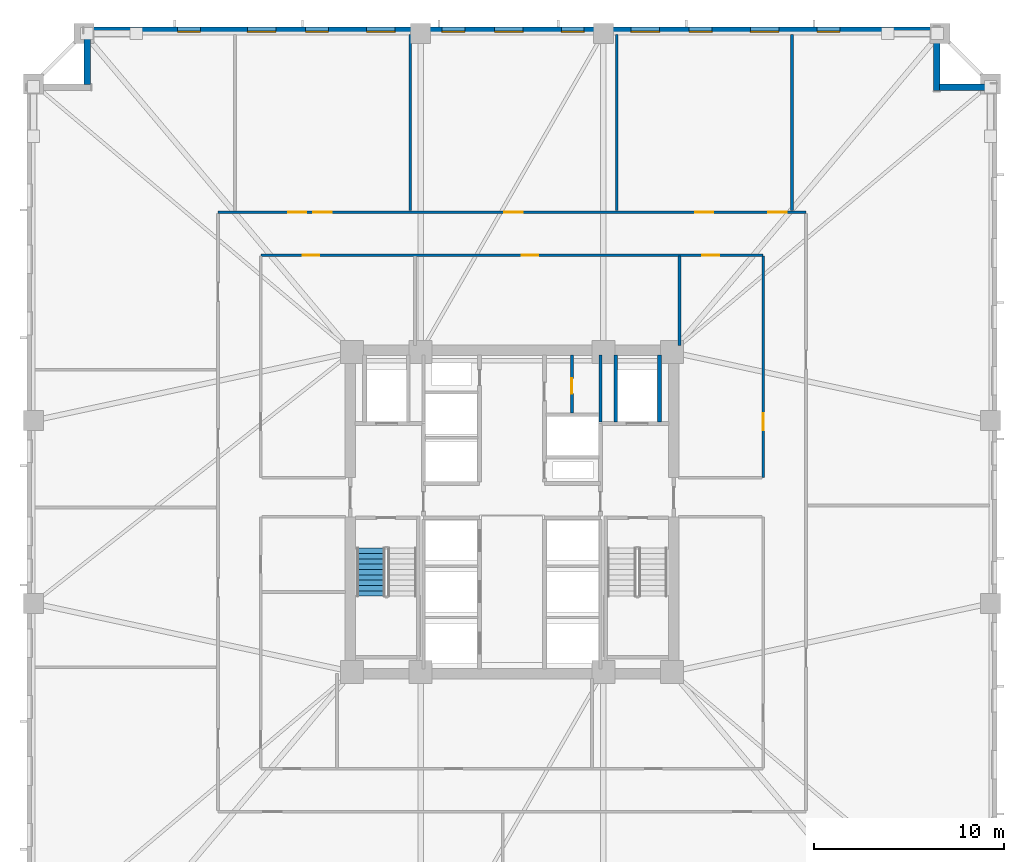
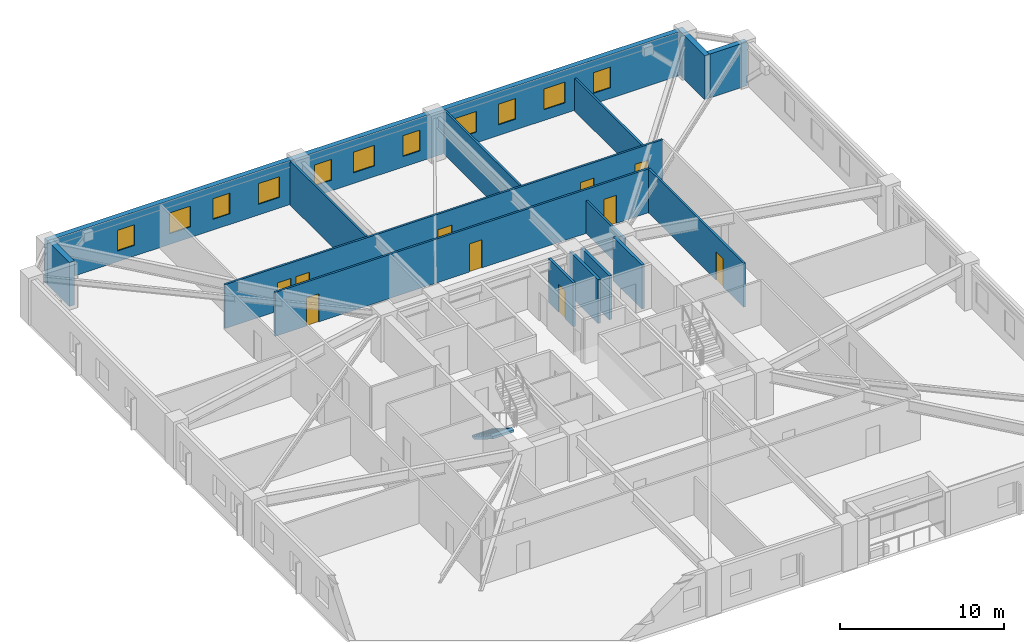
# One storey, part 5 of 11: 15 walls, 11 windows, 10 doors, 1 stair flight, 21 openings, 1 element without a shape of its own.
"""IFC4 building model written with IfcOpenShell, lengths in metres."""

from ifc_helpers import new_model, si_unit, direction, frame, frame_2d, origin, place, context, subcontext, project, spatial, polyline, rectangle, outline, extrude, material, layer, layer_set, type_object, element, fill, aggregate, save


model = new_model("IFC4")

# Units and contexts
model_context = context("Model", 3, precision=1e-05, world=origin(), true_north=direction((0.0, 1.0)))
body_context = subcontext(model_context, "Body", "Model", "MODEL_VIEW")
ifc_project = project(units=[si_unit("LENGTHUNIT", "METRE"), si_unit("AREAUNIT", "SQUARE_METRE"), si_unit("VOLUMEUNIT", "CUBIC_METRE"), si_unit("PLANEANGLEUNIT", "RADIAN"), si_unit("MASSUNIT", "GRAM", prefix="KILO")], contexts=[model_context])

# Site, building, storey
site_placement = place(None, origin())
site = spatial("IfcSite", under=ifc_project, at=site_placement, CompositionType="ELEMENT")
building_placement = place(site_placement, origin())
building = spatial("IfcBuilding", under=site, at=building_placement, Name="Cairnveth Concourse Tower", CompositionType="ELEMENT")
storey_placement = place(building_placement, frame((0.0, 0.0, 48.0)))
storey = spatial("IfcBuildingStorey", under=building, at=storey_placement, Name="L12", CompositionType="ELEMENT", Elevation=48.0)

# Wall, opening, door
ifc_material_1 = material(Name="Gypsum Plasterboard Partition", Category="gypsum")
ifc_layer_1 = layer(ifc_material_1, 0.159912109375)
ifc_layer_set_1 = layer_set([ifc_layer_1], Name="Gypsum Plasterboard Partition")
wall_type_1 = type_object("IfcWallType", Name="ACOUSTIC PARTY WALL 180", PredefinedType="PARTITIONING", material=ifc_layer_set_1)
wall_1_placement = place(storey_placement, frame((55.14990234375, 44.195068359375, 0.0), z_axis=(0.0, 0.0, 1.0), x_axis=(0.0, 1.0, 0.0)))
wall_1 = element("IfcWall", 1, at=wall_1_placement, inside=storey, type_object=wall_type_1, Name="Interior Wall IW-L12-037", PredefinedType="PARTITIONING", context=body_context, shape_type="SweptSolid", body=[
    extrude(rectangle(XDim=3.044921875, YDim=0.159912109375, at=frame_2d((1.5224609375, 0.0))), origin(), (0.0, 0.0, 1.0), 3.280029296875),
])
opening_1_placement = place(wall_1_placement, frame((1.02490234375, 0.0, 0.0)))
opening_1 = element("IfcOpeningElement", 2, at=opening_1_placement, cuts=wall_1, Name="Opening ID23", PredefinedType="OPENING", context=body_context, shape_type="SweptSolid", body=[
    extrude(rectangle(XDim=0.800048828125, YDim=2.10009765625, at=frame_2d((0.39990234375, 1.050048828125))), frame((0.0, 0.08984375, 0.0), z_axis=(0.0, -1.0, 0.0), x_axis=(1.0, 0.0, 0.0)), (0.0, 0.0, 1.0), 0.179931640625),
])
ifc_material_2 = material(Name="Steel Grade 350", Category="steel")
door_type_1 = type_object("IfcDoorType", Name="CORE SERVICE DOOR 800X2100", OperationType="NOTDEFINED", PredefinedType="DOOR", material=ifc_material_2)
door_1_placement = place(opening_1_placement, origin())
door_1 = element("IfcDoor", 3, at=door_1_placement, inside=storey, type_object=door_type_1, Name="NE Linen Closet Door L12", OperationType="SINGLE_SWING_LEFT", OverallHeight=2.10009765625, OverallWidth=0.800048828125, PredefinedType="DOOR", context=body_context, shape_type="SweptSolid", body=[
    extrude(rectangle(XDim=0.800048828125, YDim=2.10009765625, at=frame_2d((0.39990234375, 1.050048828125))), frame((0.0, 0.02490234375, 0.0), z_axis=(0.0, -1.0, 0.0), x_axis=(1.0, 0.0, 0.0)), (0.0, 0.0, 1.0), 0.050048828125),
])
fill(opening_1, door_1)

# Walls
ifc_material_3 = material(Name="Concrete N50 (50 MPa)", Category="concrete")
ifc_layer_2 = layer(ifc_material_3, 0.179931640625)
ifc_layer_set_2 = layer_set([ifc_layer_2], Name="Concrete N50 (50 MPa)")
wall_type_2 = type_object("IfcWallType", Name="FIRE SHAFT WALL 180", PredefinedType="SOLIDWALL", material=ifc_layer_set_2)
wall_2_placement = place(storey_placement, frame((56.64990234375, 43.735107421875, 0.0), z_axis=(0.0, 0.0, 1.0), x_axis=(0.0, 1.0, 0.0)))
element("IfcWall", 4, at=wall_2_placement, inside=storey, type_object=wall_type_2, Name="Interior Wall IW-L12-034", PredefinedType="SOLIDWALL", context=body_context, shape_type="SweptSolid", body=[
    extrude(rectangle(XDim=3.5048828125, YDim=0.179931640625, at=frame_2d((1.75244140625, 0.0))), origin(), (0.0, 0.0, 1.0), 3.280029296875),
])
ifc_layer_3 = layer(ifc_material_3, 0.199951171875)
ifc_layer_set_3 = layer_set([ifc_layer_3], Name="Concrete N50 (50 MPa)")
wall_type_3 = type_object("IfcWallType", Name="FIRE SHAFT WALL 200", PredefinedType="SOLIDWALL", material=ifc_layer_set_3)
for number, where, z_axis, x_axis, name in (
    (5, (57.449951171875, 43.735107421875, 0.0), (0.0, 0.0, 1.0), (0.0, 1.0, 0.0), "Interior Wall IW-L12-023"),
    (6, (59.75, 43.735107421875, 0.0), (0.0, 0.0, 1.0), (0.0, 1.0, 0.0), "Interior Wall IW-L12-024"),
):
    element("IfcWall", number, at=place(storey_placement, frame(where, z_axis=z_axis, x_axis=x_axis)), inside=storey, type_object=wall_type_3, Name=name, PredefinedType="SOLIDWALL", context=body_context, shape_type="SweptSolid", body=[
        extrude(rectangle(XDim=3.5048828125, YDim=0.199951171875, at=frame_2d((1.75244140625, 0.0))), origin(), (0.0, 0.0, 1.0), 3.280029296875),
    ])

# Wall, openings, doors
ifc_layer_4 = layer(ifc_material_1, 0.139892578125)
ifc_layer_set_4 = layer_set([ifc_layer_4], Name="Gypsum Plasterboard Partition")
wall_type_4 = type_object("IfcWallType", Name="GYPSUM STUD PARTITION 140", PredefinedType="PARTITIONING", material=ifc_layer_set_4)
wall_3_placement = place(storey_placement, frame((36.550048828125, 54.75, 0.0), z_axis=(0.0, 0.0, 1.0), x_axis=(1.0, 0.0, 0.0)))
wall_3 = element("IfcWall", 7, at=wall_3_placement, inside=storey, type_object=wall_type_4, Name="Interior Wall IW-L12-039", PredefinedType="PARTITIONING", context=body_context, shape_type="SweptSolid", body=[
    extrude(rectangle(XDim=30.89990234375, YDim=0.139892578125, at=frame_2d((15.449951171875, 0.0))), origin(), (0.0, 0.0, 1.0), 3.280029296875),
])
opening_2_placement = place(wall_3_placement, frame((3.690185546875, 0.0, 0.0)))
opening_2 = element("IfcOpeningElement", 8, at=opening_2_placement, cuts=wall_3, Name="Opening ID11", PredefinedType="OPENING", context=body_context, shape_type="SweptSolid", body=[
    extrude(rectangle(XDim=0.9599609375, YDim=2.1201171875, at=frame_2d((0.47998046875, 1.06005859375))), frame((0.0, 0.079833984375, 0.0), z_axis=(0.0, -1.0, 0.0), x_axis=(1.0, 0.0, 0.0)), (0.0, 0.0, 1.0), 0.159912109375),
])
opening_3_placement = place(wall_3_placement, frame((5.012939453125, 0.0, 0.0)))
opening_3 = element("IfcOpeningElement", 9, at=opening_3_placement, cuts=wall_3, Name="Opening ID11", PredefinedType="OPENING", context=body_context, shape_type="SweptSolid", body=[
    extrude(rectangle(XDim=0.9599609375, YDim=2.1201171875, at=frame_2d((0.47998046875, 1.06005859375))), frame((0.0, 0.079833984375, 0.0), z_axis=(0.0, -1.0, 0.0), x_axis=(1.0, 0.0, 0.0)), (0.0, 0.0, 1.0), 0.159912109375),
])
opening_4_placement = place(wall_3_placement, frame((15.044921875, 0.0, 0.0)))
opening_4 = element("IfcOpeningElement", 10, at=opening_4_placement, cuts=wall_3, Name="Opening ID11", PredefinedType="OPENING", context=body_context, shape_type="SweptSolid", body=[
    extrude(rectangle(XDim=0.9599609375, YDim=2.1201171875, at=frame_2d((0.47998046875, 1.06005859375))), frame((0.0, 0.079833984375, 0.0), z_axis=(0.0, -1.0, 0.0), x_axis=(1.0, 0.0, 0.0)), (0.0, 0.0, 1.0), 0.159912109375),
])
opening_5_placement = place(wall_3_placement, frame((25.076904296875, 0.0, 0.0)))
opening_5 = element("IfcOpeningElement", 11, at=opening_5_placement, cuts=wall_3, Name="Opening ID11", PredefinedType="OPENING", context=body_context, shape_type="SweptSolid", body=[
    extrude(rectangle(XDim=0.9599609375, YDim=2.1201171875, at=frame_2d((0.47998046875, 1.06005859375))), frame((0.0, 0.079833984375, 0.0), z_axis=(0.0, -1.0, 0.0), x_axis=(1.0, 0.0, 0.0)), (0.0, 0.0, 1.0), 0.159912109375),
])
opening_6_placement = place(wall_3_placement, frame((28.919921875, 0.0, 0.0)))
opening_6 = element("IfcOpeningElement", 12, at=opening_6_placement, cuts=wall_3, Name="Opening ID11", PredefinedType="OPENING", context=body_context, shape_type="SweptSolid", body=[
    extrude(rectangle(XDim=0.9599609375, YDim=2.1201171875, at=frame_2d((0.47998046875, 1.06005859375))), frame((0.0, 0.079833984375, 0.0), z_axis=(0.0, -1.0, 0.0), x_axis=(1.0, 0.0, 0.0)), (0.0, 0.0, 1.0), 0.159912109375),
])
ifc_material_4 = material(Name="Solid Core Hardwood Timber Leaf", Category="wood")
door_type_2 = type_object("IfcDoorType", Name="INTERIOR SINGLE DOOR 960X2150", OperationType="NOTDEFINED", PredefinedType="DOOR", material=ifc_material_4)
door_2_placement = place(opening_2_placement, origin())
door_2 = element("IfcDoor", 13, at=door_2_placement, inside=storey, type_object=door_type_2, Name="Office Door L12-N1", OperationType="SINGLE_SWING_LEFT", OverallHeight=2.1201171875, OverallWidth=0.9599609375, PredefinedType="DOOR", context=body_context, shape_type="SweptSolid", body=[
    extrude(rectangle(XDim=0.9599609375, YDim=2.1201171875, at=frame_2d((0.47998046875, 1.06005859375))), frame((0.0, 0.02490234375, 0.0), z_axis=(0.0, -1.0, 0.0), x_axis=(1.0, 0.0, 0.0)), (0.0, 0.0, 1.0), 0.050048828125),
])
fill(opening_2, door_2)
door_3_placement = place(opening_3_placement, origin())
door_3 = element("IfcDoor", 14, at=door_3_placement, inside=storey, type_object=door_type_2, Name="Office Door L12-N2", OperationType="SINGLE_SWING_RIGHT", OverallHeight=2.1201171875, OverallWidth=0.9599609375, PredefinedType="DOOR", context=body_context, shape_type="SweptSolid", body=[
    extrude(rectangle(XDim=0.9599609375, YDim=2.1201171875, at=frame_2d((0.47998046875, 1.06005859375))), frame((0.0, 0.02490234375, 0.0), z_axis=(0.0, -1.0, 0.0), x_axis=(1.0, 0.0, 0.0)), (0.0, 0.0, 1.0), 0.050048828125),
])
fill(opening_3, door_3)
door_4_placement = place(opening_4_placement, origin())
door_4 = element("IfcDoor", 15, at=door_4_placement, inside=storey, type_object=door_type_2, Name="Office Door L12-N3", OperationType="SINGLE_SWING_LEFT", OverallHeight=2.1201171875, OverallWidth=0.9599609375, PredefinedType="DOOR", context=body_context, shape_type="SweptSolid", body=[
    extrude(rectangle(XDim=0.9599609375, YDim=2.1201171875, at=frame_2d((0.47998046875, 1.06005859375))), frame((0.0, 0.02490234375, 0.0), z_axis=(0.0, -1.0, 0.0), x_axis=(1.0, 0.0, 0.0)), (0.0, 0.0, 1.0), 0.050048828125),
])
fill(opening_4, door_4)
door_5_placement = place(opening_5_placement, origin())
door_5 = element("IfcDoor", 16, at=door_5_placement, inside=storey, type_object=door_type_2, Name="Office Door L12-N4", OperationType="SINGLE_SWING_RIGHT", OverallHeight=2.1201171875, OverallWidth=0.9599609375, PredefinedType="DOOR", context=body_context, shape_type="SweptSolid", body=[
    extrude(rectangle(XDim=0.9599609375, YDim=2.1201171875, at=frame_2d((0.47998046875, 1.06005859375))), frame((0.0, 0.02490234375, 0.0), z_axis=(0.0, -1.0, 0.0), x_axis=(1.0, 0.0, 0.0)), (0.0, 0.0, 1.0), 0.050048828125),
])
fill(opening_5, door_5)
door_6_placement = place(opening_6_placement, origin())
door_6 = element("IfcDoor", 17, at=door_6_placement, inside=storey, type_object=door_type_2, Name="Office Door L12-N5", OperationType="SINGLE_SWING_LEFT", OverallHeight=2.1201171875, OverallWidth=0.9599609375, PredefinedType="DOOR", context=body_context, shape_type="SweptSolid", body=[
    extrude(rectangle(XDim=0.9599609375, YDim=2.1201171875, at=frame_2d((0.47998046875, 1.06005859375))), frame((0.0, 0.02490234375, 0.0), z_axis=(0.0, -1.0, 0.0), x_axis=(1.0, 0.0, 0.0)), (0.0, 0.0, 1.0), 0.050048828125),
])
fill(opening_6, door_6)

wall_4_placement = place(storey_placement, frame((38.800048828125, 52.5, 0.0), z_axis=(0.0, 0.0, 1.0), x_axis=(1.0, 0.0, 0.0)))
wall_4 = element("IfcWall", 18, at=wall_4_placement, inside=storey, type_object=wall_type_4, Name="Interior Wall IW-L12-043", PredefinedType="PARTITIONING", context=body_context, shape_type="SweptSolid", body=[
    extrude(rectangle(XDim=26.39990234375, YDim=0.139892578125, at=frame_2d((13.199951171875, 0.0))), origin(), (0.0, 0.0, 1.0), 3.280029296875),
])
opening_7_placement = place(wall_4_placement, frame((2.199951171875, 0.0, 0.0)))
opening_7 = element("IfcOpeningElement", 19, at=opening_7_placement, cuts=wall_4, Name="Opening ID18", PredefinedType="OPENING", context=body_context, shape_type="SweptSolid", body=[
    extrude(rectangle(XDim=0.8798828125, YDim=2.10009765625, at=frame_2d((0.43994140625, 1.050048828125))), frame((0.0, 0.079833984375, 0.0), z_axis=(0.0, -1.0, 0.0), x_axis=(1.0, 0.0, 0.0)), (0.0, 0.0, 1.0), 0.159912109375),
])
opening_8_placement = place(wall_4_placement, frame((13.699951171875, 0.0, 0.0)))
opening_8 = element("IfcOpeningElement", 20, at=opening_8_placement, cuts=wall_4, Name="Opening ID18", PredefinedType="OPENING", context=body_context, shape_type="SweptSolid", body=[
    extrude(rectangle(XDim=0.8798828125, YDim=2.10009765625, at=frame_2d((0.43994140625, 1.050048828125))), frame((0.0, 0.079833984375, 0.0), z_axis=(0.0, -1.0, 0.0), x_axis=(1.0, 0.0, 0.0)), (0.0, 0.0, 1.0), 0.159912109375),
])
opening_9_placement = place(wall_4_placement, frame((23.199951171875, 0.0, 0.0)))
opening_9 = element("IfcOpeningElement", 21, at=opening_9_placement, cuts=wall_4, Name="Opening ID18", PredefinedType="OPENING", context=body_context, shape_type="SweptSolid", body=[
    extrude(rectangle(XDim=0.8798828125, YDim=2.10009765625, at=frame_2d((0.43994140625, 1.050048828125))), frame((0.0, 0.079833984375, 0.0), z_axis=(0.0, -1.0, 0.0), x_axis=(1.0, 0.0, 0.0)), (0.0, 0.0, 1.0), 0.159912109375),
])
door_type_3 = type_object("IfcDoorType", Name="INTERIOR SINGLE DOOR 880X2100", OperationType="NOTDEFINED", PredefinedType="DOOR", material=ifc_material_4)
door_7_placement = place(opening_7_placement, origin())
door_7 = element("IfcDoor", 22, at=door_7_placement, inside=storey, type_object=door_type_3, Name="Interior Door DR-L12-017", OperationType="SINGLE_SWING_LEFT", OverallHeight=2.10009765625, OverallWidth=0.8798828125, PredefinedType="DOOR", context=body_context, shape_type="SweptSolid", body=[
    extrude(rectangle(XDim=0.8798828125, YDim=2.10009765625, at=frame_2d((0.43994140625, 1.050048828125))), frame((0.0, 0.02490234375, 0.0), z_axis=(0.0, -1.0, 0.0), x_axis=(1.0, 0.0, 0.0)), (0.0, 0.0, 1.0), 0.050048828125),
])
fill(opening_7, door_7)
door_8_placement = place(opening_8_placement, origin())
door_8 = element("IfcDoor", 23, at=door_8_placement, inside=storey, type_object=door_type_3, Name="Interior Door DR-L12-018", OperationType="SINGLE_SWING_RIGHT", OverallHeight=2.10009765625, OverallWidth=0.8798828125, PredefinedType="DOOR", context=body_context, shape_type="SweptSolid", body=[
    extrude(rectangle(XDim=0.8798828125, YDim=2.10009765625, at=frame_2d((0.43994140625, 1.050048828125))), frame((0.0, 0.02490234375, 0.0), z_axis=(0.0, -1.0, 0.0), x_axis=(1.0, 0.0, 0.0)), (0.0, 0.0, 1.0), 0.050048828125),
])
fill(opening_8, door_8)
door_9_placement = place(opening_9_placement, origin())
door_9 = element("IfcDoor", 24, at=door_9_placement, inside=storey, type_object=door_type_3, Name="Interior Door DR-L12-019", OperationType="SINGLE_SWING_LEFT", OverallHeight=2.10009765625, OverallWidth=0.8798828125, PredefinedType="DOOR", context=body_context, shape_type="SweptSolid", body=[
    extrude(rectangle(XDim=0.8798828125, YDim=2.10009765625, at=frame_2d((0.43994140625, 1.050048828125))), frame((0.0, 0.02490234375, 0.0), z_axis=(0.0, -1.0, 0.0), x_axis=(1.0, 0.0, 0.0)), (0.0, 0.0, 1.0), 0.050048828125),
])
fill(opening_9, door_9)

# Wall, opening, door
wall_5_placement = place(storey_placement, frame((65.199951171875, 40.800048828125, 0.0), z_axis=(0.0, 0.0, 1.0), x_axis=(0.0, 1.0, 0.0)))
wall_5 = element("IfcWall", 25, at=wall_5_placement, inside=storey, type_object=wall_type_4, Name="Interior Wall IW-L12-049", PredefinedType="PARTITIONING", context=body_context, shape_type="SweptSolid", body=[
    extrude(rectangle(XDim=11.64501953125, YDim=0.139892578125, at=frame_2d((5.822509765625, 0.0))), origin(), (0.0, 0.0, 1.0), 3.280029296875),
])
opening_10_placement = place(wall_5_placement, frame((2.5, 0.0, 0.0)))
opening_10 = element("IfcOpeningElement", 26, at=opening_10_placement, cuts=wall_5, Name="Opening ID18", PredefinedType="OPENING", context=body_context, shape_type="SweptSolid", body=[
    extrude(rectangle(XDim=0.8798828125, YDim=2.10009765625, at=frame_2d((0.43994140625, 1.050048828125))), frame((0.0, 0.079833984375, 0.0), z_axis=(0.0, -1.0, 0.0), x_axis=(1.0, 0.0, 0.0)), (0.0, 0.0, 1.0), 0.159912109375),
])
door_10_placement = place(opening_10_placement, origin())
door_10 = element("IfcDoor", 27, at=door_10_placement, inside=storey, type_object=door_type_3, Name="Interior Door DR-L12-024", OperationType="SINGLE_SWING_RIGHT", OverallHeight=2.10009765625, OverallWidth=0.8798828125, PredefinedType="DOOR", context=body_context, shape_type="SweptSolid", body=[
    extrude(rectangle(XDim=0.8798828125, YDim=2.10009765625, at=frame_2d((0.43994140625, 1.050048828125))), frame((0.0, 0.02490234375, 0.0), z_axis=(0.0, -1.0, 0.0), x_axis=(1.0, 0.0, 0.0)), (0.0, 0.0, 1.0), 0.050048828125),
])
fill(opening_10, door_10)

# Walls
wall_6_placement = place(storey_placement, frame((60.800048828125, 47.760009765625, 0.0), z_axis=(0.0, 0.0, 1.0), x_axis=(0.0, 1.0, 0.0)))
element("IfcWall", 28, at=wall_6_placement, inside=storey, type_object=wall_type_4, Name="Interior Wall IW-L12-055", PredefinedType="PARTITIONING", context=body_context, shape_type="SweptSolid", body=[
    extrude(rectangle(XDim=4.68505859375, YDim=0.139892578125, at=frame_2d((2.342529296875, 0.0))), origin(), (0.0, 0.0, 1.0), 2.43896484375),
])
for number, where, z_axis, x_axis, name in (
    (29, (46.646484375, 54.85009765625, 0.0), (0.0, 0.0, 1.0), (0.0, 1.0, 0.0), "Interior Wall IW-L12-059"),
    (30, (57.50341796875, 54.85009765625, 0.0), (0.0, 0.0, 1.0), (0.0, 1.0, 0.0), "Interior Wall IW-L12-060"),
):
    element("IfcWall", number, at=place(storey_placement, frame(where, z_axis=z_axis, x_axis=x_axis)), inside=storey, type_object=wall_type_4, Name=name, PredefinedType="PARTITIONING", context=body_context, shape_type="SweptSolid", body=[
        extrude(rectangle(XDim=9.22998046875, YDim=0.139892578125, at=frame_2d((4.614990234375, 0.0))), origin(), (0.0, 0.0, 1.0), 3.280029296875),
    ])
wall_7_placement = place(storey_placement, frame((66.71044921875, 54.85009765625, 0.0), z_axis=(0.0, 0.0, 1.0), x_axis=(0.0, 1.0, 0.0)))
element("IfcWall", 31, at=wall_7_placement, inside=storey, type_object=wall_type_4, Name="Interior Wall IW-L12-061", PredefinedType="PARTITIONING", context=body_context, shape_type="SweptSolid", body=[
    extrude(rectangle(XDim=9.22998046875, YDim=0.139892578125, at=frame_2d((4.614990234375, 0.0))), origin(), (0.0, 0.0, 1.0), 2.43896484375),
])
ifc_material_5 = material(Name="Hawthorn Red-Ochre Fired Clay Brick Masonry", Category="masonry")
ifc_layer_5 = layer(ifc_material_5, 0.360107421875)
ifc_layer_set_5 = layer_set([ifc_layer_5], Name="Hawthorn Red-Ochre Fired Clay Brick Masonry")
wall_type_5 = type_object("IfcWallType", Name="ZONE 1 BRICK PIER SPANDREL WALL 360", PredefinedType="SOLIDWALL", material=ifc_layer_set_5)
wall_8_placement = place(storey_placement, frame((29.679931640625, 61.47802734375, 0.0), z_axis=(0.0, 0.0, 1.0), x_axis=(0.0, 1.0, 0.0)))
element("IfcWall", 32, at=wall_8_placement, inside=storey, type_object=wall_type_5, Name="Exterior Wall EW-L12-S05", PredefinedType="SOLIDWALL", context=body_context, shape_type="SweptSolid", body=[
    extrude(rectangle(XDim=2.68408203125, YDim=0.360107421875, at=frame_2d((1.342041015625, 0.0))), origin(), (0.0, 0.0, 1.0), 3.280029296875),
])

# Wall, openings, windows
wall_9_placement = place(storey_placement, frame((29.5, 64.320068359375, 0.0), z_axis=(0.0, 0.0, 1.0), x_axis=(1.0, 0.0, 0.0)))
wall_9 = element("IfcWall", 33, at=wall_9_placement, inside=storey, type_object=wall_type_5, Name="Exterior Wall EW-L12-S06", PredefinedType="SOLIDWALL", context=body_context, shape_type="SweptSolid", body=[
    extrude(rectangle(XDim=44.662109375, YDim=0.360107421875, at=frame_2d((22.3310546875, 0.0))), origin(), (0.0, 0.0, 1.0), 3.280029296875),
])
opening_11_placement = place(wall_9_placement, frame((4.93017578125, 0.0, 0.800048828125)))
opening_11 = element("IfcOpeningElement", 34, at=opening_11_placement, cuts=wall_9, Name="Opening W01", PredefinedType="OPENING", context=body_context, shape_type="SweptSolid", body=[
    extrude(rectangle(XDim=1.199951171875, YDim=1.5439453125, at=frame_2d((0.60009765625, 0.77197265625))), frame((0.0, 0.18994140625, 0.0), z_axis=(0.0, -1.0, 0.0), x_axis=(1.0, 0.0, 0.0)), (0.0, 0.0, 1.0), 0.380126953125),
])
opening_12_placement = place(wall_9_placement, frame((8.59033203125, 0.0, 0.800048828125)))
opening_12 = element("IfcOpeningElement", 35, at=opening_12_placement, cuts=wall_9, Name="Opening W03", PredefinedType="OPENING", context=body_context, shape_type="SweptSolid", body=[
    extrude(rectangle(XDim=1.5, YDim=1.5439453125, at=frame_2d((0.75, 0.77197265625))), frame((0.0, 0.18994140625, 0.0), z_axis=(0.0, -1.0, 0.0), x_axis=(1.0, 0.0, 0.0)), (0.0, 0.0, 1.0), 0.380126953125),
])
opening_13_placement = place(wall_9_placement, frame((11.650390625, 0.0, 0.800048828125)))
opening_13 = element("IfcOpeningElement", 36, at=opening_13_placement, cuts=wall_9, Name="Opening W01", PredefinedType="OPENING", context=body_context, shape_type="SweptSolid", body=[
    extrude(rectangle(XDim=1.199951171875, YDim=1.5439453125, at=frame_2d((0.60009765625, 0.77197265625))), frame((0.0, 0.18994140625, 0.0), z_axis=(0.0, -1.0, 0.0), x_axis=(1.0, 0.0, 0.0)), (0.0, 0.0, 1.0), 0.380126953125),
])
opening_14_placement = place(wall_9_placement, frame((14.860595703125, 0.0, 0.800048828125)))
opening_14 = element("IfcOpeningElement", 37, at=opening_14_placement, cuts=wall_9, Name="Opening W03", PredefinedType="OPENING", context=body_context, shape_type="SweptSolid", body=[
    extrude(rectangle(XDim=1.5, YDim=1.5439453125, at=frame_2d((0.75, 0.77197265625))), frame((0.0, 0.18994140625, 0.0), z_axis=(0.0, -1.0, 0.0), x_axis=(1.0, 0.0, 0.0)), (0.0, 0.0, 1.0), 0.380126953125),
])
opening_15_placement = place(wall_9_placement, frame((18.82080078125, 0.0, 0.800048828125)))
opening_15 = element("IfcOpeningElement", 38, at=opening_15_placement, cuts=wall_9, Name="Opening W01", PredefinedType="OPENING", context=body_context, shape_type="SweptSolid", body=[
    extrude(rectangle(XDim=1.199951171875, YDim=1.5439453125, at=frame_2d((0.60009765625, 0.77197265625))), frame((0.0, 0.18994140625, 0.0), z_axis=(0.0, -1.0, 0.0), x_axis=(1.0, 0.0, 0.0)), (0.0, 0.0, 1.0), 0.380126953125),
])
opening_16_placement = place(wall_9_placement, frame((21.5810546875, 0.0, 0.800048828125)))
opening_16 = element("IfcOpeningElement", 39, at=opening_16_placement, cuts=wall_9, Name="Opening W03", PredefinedType="OPENING", context=body_context, shape_type="SweptSolid", body=[
    extrude(rectangle(XDim=1.5, YDim=1.5439453125, at=frame_2d((0.75, 0.77197265625))), frame((0.0, 0.18994140625, 0.0), z_axis=(0.0, -1.0, 0.0), x_axis=(1.0, 0.0, 0.0)), (0.0, 0.0, 1.0), 0.380126953125),
])
opening_17_placement = place(wall_9_placement, frame((25.09130859375, 0.0, 0.800048828125)))
opening_17 = element("IfcOpeningElement", 40, at=opening_17_placement, cuts=wall_9, Name="Opening W01", PredefinedType="OPENING", context=body_context, shape_type="SweptSolid", body=[
    extrude(rectangle(XDim=1.199951171875, YDim=1.5439453125, at=frame_2d((0.60009765625, 0.77197265625))), frame((0.0, 0.18994140625, 0.0), z_axis=(0.0, -1.0, 0.0), x_axis=(1.0, 0.0, 0.0)), (0.0, 0.0, 1.0), 0.380126953125),
])
opening_18_placement = place(wall_9_placement, frame((28.75146484375, 0.0, 0.800048828125)))
opening_18 = element("IfcOpeningElement", 41, at=opening_18_placement, cuts=wall_9, Name="Opening W03", PredefinedType="OPENING", context=body_context, shape_type="SweptSolid", body=[
    extrude(rectangle(XDim=1.5, YDim=1.5439453125, at=frame_2d((0.75, 0.77197265625))), frame((0.0, 0.18994140625, 0.0), z_axis=(0.0, -1.0, 0.0), x_axis=(1.0, 0.0, 0.0)), (0.0, 0.0, 1.0), 0.380126953125),
])
opening_19_placement = place(wall_9_placement, frame((31.8115234375, 0.0, 0.800048828125)))
opening_19 = element("IfcOpeningElement", 42, at=opening_19_placement, cuts=wall_9, Name="Opening W01", PredefinedType="OPENING", context=body_context, shape_type="SweptSolid", body=[
    extrude(rectangle(XDim=1.199951171875, YDim=1.5439453125, at=frame_2d((0.60009765625, 0.77197265625))), frame((0.0, 0.18994140625, 0.0), z_axis=(0.0, -1.0, 0.0), x_axis=(1.0, 0.0, 0.0)), (0.0, 0.0, 1.0), 0.380126953125),
])
opening_20_placement = place(wall_9_placement, frame((35.021728515625, 0.0, 0.800048828125)))
opening_20 = element("IfcOpeningElement", 43, at=opening_20_placement, cuts=wall_9, Name="Opening W03", PredefinedType="OPENING", context=body_context, shape_type="SweptSolid", body=[
    extrude(rectangle(XDim=1.5, YDim=1.5439453125, at=frame_2d((0.75, 0.77197265625))), frame((0.0, 0.18994140625, 0.0), z_axis=(0.0, -1.0, 0.0), x_axis=(1.0, 0.0, 0.0)), (0.0, 0.0, 1.0), 0.380126953125),
])
opening_21_placement = place(wall_9_placement, frame((38.531982421875, 0.0, 0.800048828125)))
opening_21 = element("IfcOpeningElement", 44, at=opening_21_placement, cuts=wall_9, Name="Opening W01", PredefinedType="OPENING", context=body_context, shape_type="SweptSolid", body=[
    extrude(rectangle(XDim=1.199951171875, YDim=1.5439453125, at=frame_2d((0.60009765625, 0.77197265625))), frame((0.0, 0.18994140625, 0.0), z_axis=(0.0, -1.0, 0.0), x_axis=(1.0, 0.0, 0.0)), (0.0, 0.0, 1.0), 0.380126953125),
])
ifc_material_6 = material(Name="Double Glazed Low-E Clear Glass", Category="glass")
window_type_1 = type_object("IfcWindowType", Name="DEEP-SET GOTHIC LANCET WINDOW 1200X1800", PartitioningType="DOUBLE_PANEL_VERTICAL", PredefinedType="WINDOW", material=ifc_material_6)
window_1_placement = place(opening_11_placement, origin())
window_1 = element("IfcWindow", 45, at=window_1_placement, inside=storey, type_object=window_type_1, Name="Gothic Lancet Window L12-6-1", OverallHeight=1.5439453125, OverallWidth=1.199951171875, PartitioningType="SINGLE_PANEL", PredefinedType="WINDOW", context=body_context, shape_type="SweptSolid", body=[
    extrude(rectangle(XDim=1.199951171875, YDim=1.5439453125, at=frame_2d((0.60009765625, 0.77197265625))), frame((0.0, -0.050048828125, 0.0), z_axis=(0.0, -1.0, 0.0), x_axis=(1.0, 0.0, 0.0)), (0.0, 0.0, 1.0), 0.06005859375),
])
fill(opening_11, window_1)
window_2_placement = place(opening_13_placement, origin())
window_2 = element("IfcWindow", 46, at=window_2_placement, inside=storey, type_object=window_type_1, Name="Gothic Lancet Window L12-6-3", OverallHeight=1.5439453125, OverallWidth=1.199951171875, PartitioningType="SINGLE_PANEL", PredefinedType="WINDOW", context=body_context, shape_type="SweptSolid", body=[
    extrude(rectangle(XDim=1.199951171875, YDim=1.5439453125, at=frame_2d((0.60009765625, 0.77197265625))), frame((0.0, -0.050048828125, 0.0), z_axis=(0.0, -1.0, 0.0), x_axis=(1.0, 0.0, 0.0)), (0.0, 0.0, 1.0), 0.06005859375),
])
fill(opening_13, window_2)
window_3_placement = place(opening_15_placement, origin())
window_3 = element("IfcWindow", 47, at=window_3_placement, inside=storey, type_object=window_type_1, Name="Gothic Lancet Window L12-6-5", OverallHeight=1.5439453125, OverallWidth=1.199951171875, PartitioningType="SINGLE_PANEL", PredefinedType="WINDOW", context=body_context, shape_type="SweptSolid", body=[
    extrude(rectangle(XDim=1.199951171875, YDim=1.5439453125, at=frame_2d((0.60009765625, 0.77197265625))), frame((0.0, -0.050048828125, 0.0), z_axis=(0.0, -1.0, 0.0), x_axis=(1.0, 0.0, 0.0)), (0.0, 0.0, 1.0), 0.06005859375),
])
fill(opening_15, window_3)
window_4_placement = place(opening_17_placement, origin())
window_4 = element("IfcWindow", 48, at=window_4_placement, inside=storey, type_object=window_type_1, Name="Gothic Lancet Window L12-6-7", OverallHeight=1.5439453125, OverallWidth=1.199951171875, PartitioningType="SINGLE_PANEL", PredefinedType="WINDOW", context=body_context, shape_type="SweptSolid", body=[
    extrude(rectangle(XDim=1.199951171875, YDim=1.5439453125, at=frame_2d((0.60009765625, 0.77197265625))), frame((0.0, -0.050048828125, 0.0), z_axis=(0.0, -1.0, 0.0), x_axis=(1.0, 0.0, 0.0)), (0.0, 0.0, 1.0), 0.06005859375),
])
fill(opening_17, window_4)
window_5_placement = place(opening_19_placement, origin())
window_5 = element("IfcWindow", 49, at=window_5_placement, inside=storey, type_object=window_type_1, Name="Gothic Lancet Window L12-6-9", OverallHeight=1.5439453125, OverallWidth=1.199951171875, PartitioningType="SINGLE_PANEL", PredefinedType="WINDOW", context=body_context, shape_type="SweptSolid", body=[
    extrude(rectangle(XDim=1.199951171875, YDim=1.5439453125, at=frame_2d((0.60009765625, 0.77197265625))), frame((0.0, -0.050048828125, 0.0), z_axis=(0.0, -1.0, 0.0), x_axis=(1.0, 0.0, 0.0)), (0.0, 0.0, 1.0), 0.06005859375),
])
fill(opening_19, window_5)
window_6_placement = place(opening_21_placement, origin())
window_6 = element("IfcWindow", 50, at=window_6_placement, inside=storey, type_object=window_type_1, Name="Gothic Lancet Window L12-6-11", OverallHeight=1.5439453125, OverallWidth=1.199951171875, PartitioningType="SINGLE_PANEL", PredefinedType="WINDOW", context=body_context, shape_type="SweptSolid", body=[
    extrude(rectangle(XDim=1.199951171875, YDim=1.5439453125, at=frame_2d((0.60009765625, 0.77197265625))), frame((0.0, -0.050048828125, 0.0), z_axis=(0.0, -1.0, 0.0), x_axis=(1.0, 0.0, 0.0)), (0.0, 0.0, 1.0), 0.06005859375),
])
fill(opening_21, window_6)
window_type_2 = type_object("IfcWindowType", Name="DEEP-SET GOTHIC LANCET WINDOW 1500X1800", PartitioningType="DOUBLE_PANEL_VERTICAL", PredefinedType="WINDOW", material=ifc_material_6)
window_7_placement = place(opening_12_placement, origin())
window_7 = element("IfcWindow", 51, at=window_7_placement, inside=storey, type_object=window_type_2, Name="Gothic Lancet Window L12-6-2", OverallHeight=1.5439453125, OverallWidth=1.5, PartitioningType="SINGLE_PANEL", PredefinedType="WINDOW", context=body_context, shape_type="SweptSolid", body=[
    extrude(rectangle(XDim=1.5, YDim=1.5439453125, at=frame_2d((0.75, 0.77197265625))), frame((0.0, -0.050048828125, 0.0), z_axis=(0.0, -1.0, 0.0), x_axis=(1.0, 0.0, 0.0)), (0.0, 0.0, 1.0), 0.06005859375),
])
fill(opening_12, window_7)
window_8_placement = place(opening_14_placement, origin())
window_8 = element("IfcWindow", 52, at=window_8_placement, inside=storey, type_object=window_type_2, Name="Gothic Lancet Window L12-6-4", OverallHeight=1.5439453125, OverallWidth=1.5, PartitioningType="SINGLE_PANEL", PredefinedType="WINDOW", context=body_context, shape_type="SweptSolid", body=[
    extrude(rectangle(XDim=1.5, YDim=1.5439453125, at=frame_2d((0.75, 0.77197265625))), frame((0.0, -0.050048828125, 0.0), z_axis=(0.0, -1.0, 0.0), x_axis=(1.0, 0.0, 0.0)), (0.0, 0.0, 1.0), 0.06005859375),
])
fill(opening_14, window_8)
window_9_placement = place(opening_16_placement, origin())
window_9 = element("IfcWindow", 53, at=window_9_placement, inside=storey, type_object=window_type_2, Name="Gothic Lancet Window L12-6-6", OverallHeight=1.5439453125, OverallWidth=1.5, PartitioningType="SINGLE_PANEL", PredefinedType="WINDOW", context=body_context, shape_type="SweptSolid", body=[
    extrude(rectangle(XDim=1.5, YDim=1.5439453125, at=frame_2d((0.75, 0.77197265625))), frame((0.0, -0.050048828125, 0.0), z_axis=(0.0, -1.0, 0.0), x_axis=(1.0, 0.0, 0.0)), (0.0, 0.0, 1.0), 0.06005859375),
])
fill(opening_16, window_9)
window_10_placement = place(opening_18_placement, origin())
window_10 = element("IfcWindow", 54, at=window_10_placement, inside=storey, type_object=window_type_2, Name="Gothic Lancet Window L12-6-8", OverallHeight=1.5439453125, OverallWidth=1.5, PartitioningType="SINGLE_PANEL", PredefinedType="WINDOW", context=body_context, shape_type="SweptSolid", body=[
    extrude(rectangle(XDim=1.5, YDim=1.5439453125, at=frame_2d((0.75, 0.77197265625))), frame((0.0, -0.050048828125, 0.0), z_axis=(0.0, -1.0, 0.0), x_axis=(1.0, 0.0, 0.0)), (0.0, 0.0, 1.0), 0.06005859375),
])
fill(opening_18, window_10)
window_11_placement = place(opening_20_placement, origin())
window_11 = element("IfcWindow", 55, at=window_11_placement, inside=storey, type_object=window_type_2, Name="Gothic Lancet Window L12-6-10", OverallHeight=1.5439453125, OverallWidth=1.5, PartitioningType="SINGLE_PANEL", PredefinedType="WINDOW", context=body_context, shape_type="SweptSolid", body=[
    extrude(rectangle(XDim=1.5, YDim=1.5439453125, at=frame_2d((0.75, 0.77197265625))), frame((0.0, -0.050048828125, 0.0), z_axis=(0.0, -1.0, 0.0), x_axis=(1.0, 0.0, 0.0)), (0.0, 0.0, 1.0), 0.06005859375),
])
fill(opening_20, window_11)

# Walls
wall_10_placement = place(storey_placement, frame((74.320068359375, 64.5, 0.0), z_axis=(0.0, 0.0, 1.0), x_axis=(0.0, -1.0, 0.0)))
element("IfcWall", 56, at=wall_10_placement, inside=storey, type_object=wall_type_5, Name="Exterior Wall EW-L12-S07", PredefinedType="SOLIDWALL", context=body_context, shape_type="SweptSolid", body=[
    extrude(rectangle(XDim=3.360107421875, YDim=0.360107421875, at=frame_2d((1.68017578125, 0.0))), origin(), (0.0, 0.0, 1.0), 3.280029296875),
])
wall_11_placement = place(storey_placement, frame((74.47802734375, 61.320068359375, 0.0), z_axis=(0.0, 0.0, 1.0), x_axis=(1.0, 0.0, 0.0)))
element("IfcWall", 57, at=wall_11_placement, inside=storey, type_object=wall_type_5, Name="Exterior Wall EW-L12-S08", PredefinedType="SOLIDWALL", context=body_context, shape_type="SweptSolid", body=[
    extrude(rectangle(XDim=2.68408203125, YDim=0.360107421875, at=frame_2d((1.342041015625, 0.0))), origin(), (0.0, 0.0, 1.0), 3.280029296875),
])

# Stair, stair flight
ifc_material_7 = material(Name="Precast concrete N50 (50 MPa)", Category="concrete")
stair_type = type_object("IfcStairType", Name="CORE DOG-LEG FIRE STAIR 1500", PredefinedType="HALF_TURN_STAIR", material=ifc_material_7)
stair_placement = place(storey_placement, origin())
stair = element("IfcStair", 58, at=stair_placement, inside=storey, type_object=stair_type, Name="L12 Fire-Isolated Stair ST-1", PredefinedType="HALF_TURN_STAIR")
stair_flight_type = type_object("IfcStairFlightType", Name="PRECAST CONCRETE STAIR FLIGHT 1500", PredefinedType="STRAIGHT", material=ifc_material_7)
stair_flight_placement = place(storey_placement, frame((44.590087890625, 37.10009765625, 0.0), z_axis=(0.0, 0.0, 1.0), x_axis=(0.0, -1.0, 0.0)))
stair_flight = element("IfcStairFlight", 59, at=stair_flight_placement, type_object=stair_flight_type, Name="ST-1 flight 1", NumberOfRisers=10, NumberOfTreads=9, PredefinedType="STRAIGHT", RiserHeight=0.175, TreadLength=0.28, context=body_context, shape_type="SweptSolid", body=[
    extrude(outline(polyline([(0.0, 0.0), (0.0, 0.175048828125), (0.280029296875, 0.175048828125), (0.280029296875, 0.35009765625), (0.56005859375, 0.35009765625), (0.56005859375, 0.52490234375), (0.840087890625, 0.52490234375), (0.840087890625, 0.699951171875), (1.1201171875, 0.699951171875), (1.1201171875, 0.875), (1.39990234375, 0.875), (1.39990234375, 1.050048828125), (1.679931640625, 1.050048828125), (1.679931640625, 1.22509765625), (1.9599609375, 1.22509765625), (1.9599609375, 1.39990234375), (2.239990234375, 1.39990234375), (2.239990234375, 1.574951171875), (2.52001953125, 1.574951171875), (2.52001953125, 1.75), (2.52001953125, 1.398193359375), (0.28271484375, 0.0), (0.0, 0.0)])), frame((0.0, 0.75, 0.0), z_axis=(0.0, -1.0, 0.0), x_axis=(1.0, 0.0, 0.0)), (0.0, 0.0, 1.0), 1.5),
])
aggregate(stair, [stair_flight])

save(model, "model.ifc")
